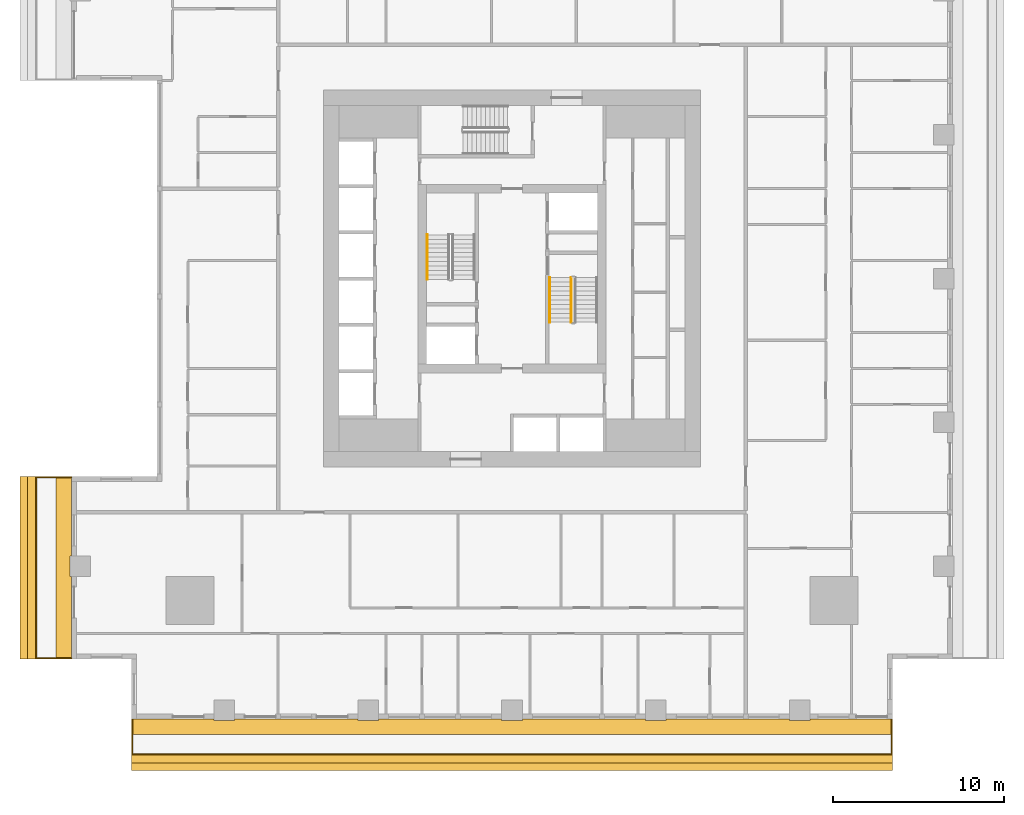
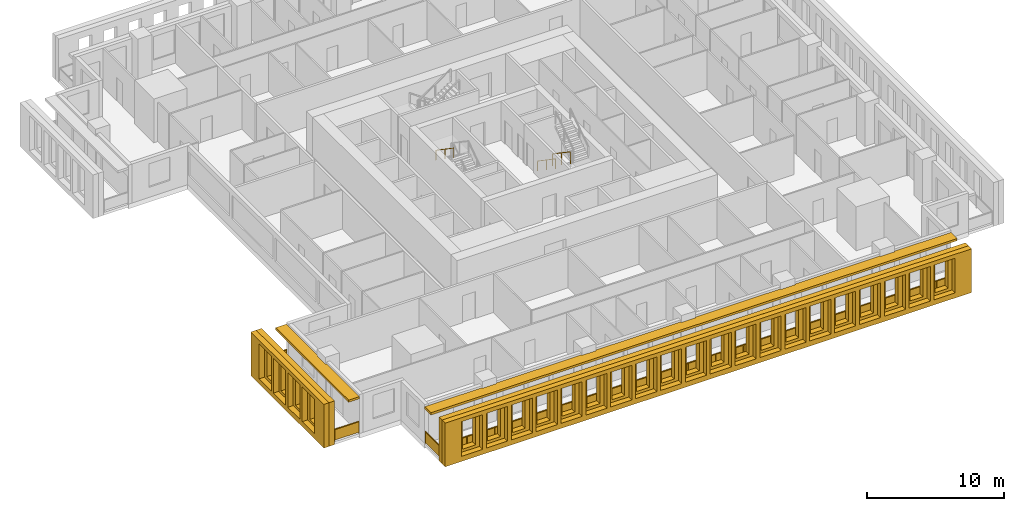
# One storey, part 10 of 14: 6 shading devices, 5 railings.
"""IFC4 building model written with IfcOpenShell, lengths in metres."""

import ifcopenshell
import ifcopenshell.guid

model = None  # the IFC model being written
_history = None  # IfcOwnerHistory: only IFC2X3 demands one
_inside = {}  # id of a spatial element -> (the spatial element, [elements in it])
_under = {}  # id of a project, library or spatial element -> (it, [spatial elements below it])
_declared = {}  # id of a project -> (the project, [libraries it declares])
_typed = {}  # id of a type object -> (the type object, [elements of that type])
_made_of = {}  # id of a material, layer set ... -> (it, [elements and type objects made of it])


def new_model(schema):
    """Start an empty IFC model of exactly this schema.

    Asked for "IFC4X3", IfcOpenShell would pick the latest addendum, in which some entities
    have other attributes; the version numbers below select the first issue.
    IFC2X3 requires an IfcOwnerHistory on every rooted entity: one is made here for all.
    """
    global model, _history
    if schema == "IFC4X3":
        model = ifcopenshell.file(schema_version=(4, 3, 0, 0))
    else:
        model = ifcopenshell.file(schema=schema)
    _inside.clear()
    _under.clear()
    _declared.clear()
    _typed.clear()
    _made_of.clear()
    _history = None
    if model.schema == "IFC2X3":
        org = make("IfcOrganization", Name="unknown")
        user = make(
            "IfcPersonAndOrganization",
            ThePerson=make("IfcPerson", FamilyName="unknown"),
            TheOrganization=org,
        )
        app = make(
            "IfcApplication",
            ApplicationDeveloper=org,
            Version="unknown",
            ApplicationFullName="unknown",
            ApplicationIdentifier="unknown",
        )
        _history = make(
            "IfcOwnerHistory",
            OwningUser=user,
            OwningApplication=app,
            ChangeAction="ADDED",
            CreationDate=0,
        )
    return model


def make(cls, **values):
    """One entity of the class cls with the attributes given. An attribute that is None is left unset."""
    return model.create_entity(
        cls, **{name: value for name, value in values.items() if value is not None}
    )


def rooted(cls, **values):
    """An entity with a GlobalId (a new one), such as an element, a storey or a relation."""
    return make(cls, GlobalId=ifcopenshell.guid.new(), OwnerHistory=_history, **values)


def si_unit(unit_type, name, prefix=None):
    """IfcSIUnit, for example si_unit("LENGTHUNIT", "METRE", prefix="MILLI")."""
    return make("IfcSIUnit", UnitType=unit_type, Prefix=prefix, Name=name)


def assignment(units):
    """IfcUnitAssignment: the units of a project."""
    return None if units is None else make("IfcUnitAssignment", Units=units)


def point(xyz):
    """IfcCartesianPoint."""
    return None if xyz is None else make("IfcCartesianPoint", Coordinates=xyz)


def direction(xyz):
    """IfcDirection."""
    return None if xyz is None else make("IfcDirection", DirectionRatios=xyz)


def frame(location, z_axis=None, x_axis=None):
    """IfcAxis2Placement3D, a coordinate frame: its origin and axes. An axis left out is left unset."""
    return make(
        "IfcAxis2Placement3D",
        Location=point(location),
        Axis=direction(z_axis),
        RefDirection=direction(x_axis),
    )


def frame_2d(location, x_axis=None):
    """IfcAxis2Placement2D, a coordinate frame in the plane: its origin and x axis."""
    return make(
        "IfcAxis2Placement2D", Location=point(location), RefDirection=direction(x_axis)
    )


def origin():
    """The frame at (0, 0, 0) with its axes left unset."""
    return frame((0.0, 0.0, 0.0))


def origin_2d():
    """The frame at (0, 0) in the plane with its x axis left unset."""
    return frame_2d((0.0, 0.0))


def place(relative_to, where):
    """IfcLocalPlacement: puts the frame where relative to a parent placement (None: the world)."""
    return make(
        "IfcLocalPlacement", PlacementRelTo=relative_to, RelativePlacement=where
    )


def context(
    kind, dimensions, precision=None, world=None, true_north=None, identifier=None
):
    """IfcGeometricRepresentationContext, for example the 3D "Model" context."""
    return make(
        "IfcGeometricRepresentationContext",
        ContextIdentifier=identifier,
        ContextType=kind,
        CoordinateSpaceDimension=dimensions,
        Precision=precision,
        WorldCoordinateSystem=world,
        TrueNorth=true_north,
    )


def subcontext(parent, identifier, kind, view, scale=None):
    """IfcGeometricRepresentationSubContext, for example "Body" below "Model"."""
    return make(
        "IfcGeometricRepresentationSubContext",
        ContextIdentifier=identifier,
        ContextType=kind,
        ParentContext=parent,
        TargetScale=scale,
        TargetView=view,
    )


def project(units=None, contexts=None):
    """IfcProject with its units and contexts."""
    return rooted(
        "IfcProject",
        Name="project",
        RepresentationContexts=contexts,
        UnitsInContext=assignment(units),
    )


def spatial(cls, under=None, at=None, **own):
    """A site, building, storey or space (cls), placed at a placement, below another one or the project."""
    s = rooted(cls, ObjectPlacement=at, **own)
    if under is not None:
        _under.setdefault(under.id(), (under, []))[1].append(s)
    return s


def polyline(points):
    """IfcPolyline through the points."""
    return make("IfcPolyline", Points=[point(p) for p in points])


def profile(cls, at=None, kind="AREA", **sizes):
    """A parametric profile (cls). Its sizes go by their IFC names, for example OverallWidth=200.0."""
    return make(cls, ProfileType=kind, Position=at, **sizes)


def rectangle(**sizes):
    """IfcRectangleProfileDef."""
    return profile("IfcRectangleProfileDef", **sizes)


def outline(outer, holes=None, kind="AREA"):
    """IfcArbitraryClosedProfileDef: a profile drawn as a closed curve; with holes, ...WithVoids."""
    if holes is None:
        return make("IfcArbitraryClosedProfileDef", ProfileType=kind, OuterCurve=outer)
    return make(
        "IfcArbitraryProfileDefWithVoids",
        ProfileType=kind,
        OuterCurve=outer,
        InnerCurves=holes,
    )


def extrude(swept, where, along, depth):
    """IfcExtrudedAreaSolid: the profile swept, set in the frame where, extruded along a direction by depth."""
    return make(
        "IfcExtrudedAreaSolid",
        SweptArea=swept,
        Position=where,
        ExtrudedDirection=direction(along),
        Depth=depth,
    )


def shape(context_of_items, identifier, shape_type, items):
    """IfcShapeRepresentation: the items that make up one representation, for example the "Body"."""
    return make(
        "IfcShapeRepresentation",
        ContextOfItems=context_of_items,
        RepresentationIdentifier=identifier,
        RepresentationType=shape_type,
        Items=items,
    )


def material(Name=None, Category=None):
    """IfcMaterial."""
    return make("IfcMaterial", Name=Name, Category=Category)


def layer(
    of_material, thickness, ventilated=None, Name=None, Category=None, Priority=None
):
    """IfcMaterialLayer: one layer of a wall or slab, of a material (None: an air gap)."""
    return make(
        "IfcMaterialLayer",
        Material=of_material,
        LayerThickness=thickness,
        IsVentilated=ventilated,
        Name=Name,
        Category=Category,
        Priority=Priority,
    )


def layer_set(layers, Name=None):
    """IfcMaterialLayerSet."""
    return make("IfcMaterialLayerSet", MaterialLayers=layers, LayerSetName=Name)


def made_of(thing, what):
    """Note that an element or type object is made of a material, layer set ...; save() writes the relation."""
    if what is not None:
        _made_of.setdefault(what.id(), (what, []))[1].append(thing)
    return thing


def type_object(cls, material=None, **own):
    """A type object (cls), such as IfcWallType, which elements share."""
    return made_of(rooted(cls, **own), material)


def element(
    cls,
    number,
    at=None,
    inside=None,
    cuts=None,
    type_object=None,
    material=None,
    context=None,
    identifier="Body",
    shape_type=None,
    held_by="IfcProductDefinitionShape",
    body=None,
    shapes=None,
    **own,
):
    """One element of the class cls, such as IfcWall. Its Tag is "e" and its number.

    at: its placement. inside: the storey or other place that contains it. cuts: it is an
    opening in that element (IfcRelVoidsElement). A single representation is given by context,
    identifier, shape_type and body (its items); several are given by shapes. held_by: the class
    of the entity that holds the representations. save() writes the other relations.
    """
    e = rooted(cls, Tag="e%d" % number, ObjectPlacement=at, **own)
    if body is not None:
        shapes = [shape(context, identifier, shape_type, body)]
    if shapes is not None:
        e.Representation = make(held_by, Representations=shapes)
    if inside is not None:
        _inside.setdefault(inside.id(), (inside, []))[1].append(e)
    if cuts is not None:
        rooted(
            "IfcRelVoidsElement", RelatingBuildingElement=cuts, RelatedOpeningElement=e
        )
    if type_object is not None:
        _typed.setdefault(type_object.id(), (type_object, []))[1].append(e)
    return made_of(e, material)


def aggregate(whole, parts):
    """IfcRelAggregates: a whole, such as a stair, and the parts it consists of."""
    return rooted("IfcRelAggregates", RelatingObject=whole, RelatedObjects=parts)


def save(model, path):
    """Write the relations noted so far, then the file.

    IfcRelAggregates (storeys below a building ...), IfcRelContainedInSpatialStructure (elements
    in a storey), IfcRelDefinesByType, IfcRelAssociatesMaterial and IfcRelDeclares: one each for
    every whole, place, type object, material and project.
    """
    for whole, parts in _under.values():
        aggregate(whole, parts)
    for where, things in _inside.values():
        rooted(
            "IfcRelContainedInSpatialStructure",
            RelatedElements=things,
            RelatingStructure=where,
        )
    for kind, things in _typed.values():
        rooted("IfcRelDefinesByType", RelatedObjects=things, RelatingType=kind)
    for what, things in _made_of.values():
        rooted("IfcRelAssociatesMaterial", RelatedObjects=things, RelatingMaterial=what)
    for by, libraries in _declared.values():
        rooted("IfcRelDeclares", RelatingContext=by, RelatedDefinitions=libraries)
    model.write(path)


model = new_model("IFC4")

# Units and contexts
model_context = context("Model", 3, precision=1e-05, world=origin(), true_north=direction((0.0, 1.0)))
body_context = subcontext(model_context, "Body", "Model", "MODEL_VIEW")
ifc_project = project(units=[si_unit("LENGTHUNIT", "METRE"), si_unit("AREAUNIT", "SQUARE_METRE"), si_unit("VOLUMEUNIT", "CUBIC_METRE"), si_unit("PLANEANGLEUNIT", "RADIAN"), si_unit("MASSUNIT", "GRAM", prefix="KILO")], contexts=[model_context])

# Site, building, storey
site_placement = place(None, origin())
site = spatial("IfcSite", under=ifc_project, at=site_placement, CompositionType="ELEMENT")
building_placement = place(site_placement, origin())
building = spatial("IfcBuilding", under=site, at=building_placement, Name="Khepri Terraces", CompositionType="ELEMENT")
storey_placement = place(building_placement, frame((0.0, 0.0, 114.300048828125)))
storey = spatial("IfcBuildingStorey", under=building, at=storey_placement, Name="L27", CompositionType="ELEMENT", Elevation=114.300048828125)

# Railings
ifc_material_1 = material(Name="Stainless steel grade 316", Category="steel")
railing_type_1 = type_object("IfcRailingType", Name="GRD-BAL-1100", PredefinedType="GUARDRAIL", material=ifc_material_1)
railing_1_placement = place(storey_placement, frame((-22.169921875, -25.719970703125, 0.0)))
element("IfcRailing", 1, at=railing_1_placement, inside=storey, type_object=railing_type_1, Name="Balcony guard L27 S", PredefinedType="GUARDRAIL", context=body_context, shape_type="SweptSolid", body=[
    extrude(rectangle(XDim=0.050048828125, YDim=0.06005859375, at=origin_2d()), frame((0.0, 0.0, 1.070068359375), z_axis=(0.0, -1.0, 0.0), x_axis=(1.0, 0.0, 0.0)), (0.0, 0.0, 1.0), 2.050048828125),
    extrude(rectangle(XDim=2.0, YDim=0.011962890625, at=origin_2d()), frame((0.0, -1.02490234375, 0.10009765625), z_axis=(0.0, 0.0, 1.0), x_axis=(0.0, -1.0, 0.0)), (0.0, 0.0, 1.0), 0.93994140625),
    extrude(rectangle(XDim=0.050048828125, YDim=0.06005859375, at=origin_2d()), frame((0.0, -2.050048828125, 1.070068359375), z_axis=(1.0, 0.0, 0.0), x_axis=(0.0, 1.0, 0.0)), (0.0, 0.0, 1.0), 44.33984375),
    extrude(rectangle(XDim=2.28369140625, YDim=0.011962890625, at=origin_2d()), frame((1.166748046875, -2.050048828125, 0.10009765625), z_axis=(0.0, 0.0, 1.0), x_axis=(1.0, 0.0, 0.0)), (0.0, 0.0, 1.0), 0.93994140625),
    extrude(rectangle(XDim=2.28369140625, YDim=0.011962890625, at=origin_2d()), frame((3.50048828125, -2.050048828125, 0.10009765625), z_axis=(0.0, 0.0, 1.0), x_axis=(1.0, 0.0, 0.0)), (0.0, 0.0, 1.0), 0.93994140625),
    extrude(rectangle(XDim=2.28369140625, YDim=0.011962890625, at=origin_2d()), frame((5.834228515625, -2.050048828125, 0.10009765625), z_axis=(0.0, 0.0, 1.0), x_axis=(1.0, 0.0, 0.0)), (0.0, 0.0, 1.0), 0.93994140625),
    extrude(rectangle(XDim=2.28369140625, YDim=0.011962890625, at=origin_2d()), frame((8.16796875, -2.050048828125, 0.10009765625), z_axis=(0.0, 0.0, 1.0), x_axis=(1.0, 0.0, 0.0)), (0.0, 0.0, 1.0), 0.93994140625),
    extrude(rectangle(XDim=2.28369140625, YDim=0.011962890625, at=origin_2d()), frame((10.50146484375, -2.050048828125, 0.10009765625), z_axis=(0.0, 0.0, 1.0), x_axis=(1.0, 0.0, 0.0)), (0.0, 0.0, 1.0), 0.93994140625),
    extrude(rectangle(XDim=2.28369140625, YDim=0.011962890625, at=origin_2d()), frame((12.835205078125, -2.050048828125, 0.10009765625), z_axis=(0.0, 0.0, 1.0), x_axis=(1.0, 0.0, 0.0)), (0.0, 0.0, 1.0), 0.93994140625),
    extrude(rectangle(XDim=2.28369140625, YDim=0.011962890625, at=origin_2d()), frame((15.1689453125, -2.050048828125, 0.10009765625), z_axis=(0.0, 0.0, 1.0), x_axis=(1.0, 0.0, 0.0)), (0.0, 0.0, 1.0), 0.93994140625),
    extrude(rectangle(XDim=2.28369140625, YDim=0.011962890625, at=origin_2d()), frame((17.502685546875, -2.050048828125, 0.10009765625), z_axis=(0.0, 0.0, 1.0), x_axis=(1.0, 0.0, 0.0)), (0.0, 0.0, 1.0), 0.93994140625),
    extrude(rectangle(XDim=2.28369140625, YDim=0.011962890625, at=origin_2d()), frame((19.836181640625, -2.050048828125, 0.10009765625), z_axis=(0.0, 0.0, 1.0), x_axis=(1.0, 0.0, 0.0)), (0.0, 0.0, 1.0), 0.93994140625),
    extrude(rectangle(XDim=2.28369140625, YDim=0.011962890625, at=origin_2d()), frame((22.169921875, -2.050048828125, 0.10009765625), z_axis=(0.0, 0.0, 1.0), x_axis=(1.0, 0.0, 0.0)), (0.0, 0.0, 1.0), 0.93994140625),
    extrude(rectangle(XDim=2.28369140625, YDim=0.011962890625, at=origin_2d()), frame((24.503662109375, -2.050048828125, 0.10009765625), z_axis=(0.0, 0.0, 1.0), x_axis=(1.0, 0.0, 0.0)), (0.0, 0.0, 1.0), 0.93994140625),
    extrude(rectangle(XDim=2.28369140625, YDim=0.011962890625, at=origin_2d()), frame((26.837158203125, -2.050048828125, 0.10009765625), z_axis=(0.0, 0.0, 1.0), x_axis=(1.0, 0.0, 0.0)), (0.0, 0.0, 1.0), 0.93994140625),
    extrude(rectangle(XDim=2.28369140625, YDim=0.011962890625, at=origin_2d()), frame((29.1708984375, -2.050048828125, 0.10009765625), z_axis=(0.0, 0.0, 1.0), x_axis=(1.0, 0.0, 0.0)), (0.0, 0.0, 1.0), 0.93994140625),
    extrude(rectangle(XDim=2.28369140625, YDim=0.011962890625, at=origin_2d()), frame((31.504638671875, -2.050048828125, 0.10009765625), z_axis=(0.0, 0.0, 1.0), x_axis=(1.0, 0.0, 0.0)), (0.0, 0.0, 1.0), 0.93994140625),
    extrude(rectangle(XDim=2.28369140625, YDim=0.011962890625, at=origin_2d()), frame((33.83837890625, -2.050048828125, 0.10009765625), z_axis=(0.0, 0.0, 1.0), x_axis=(1.0, 0.0, 0.0)), (0.0, 0.0, 1.0), 0.93994140625),
    extrude(rectangle(XDim=2.28369140625, YDim=0.011962890625, at=origin_2d()), frame((36.171875, -2.050048828125, 0.10009765625), z_axis=(0.0, 0.0, 1.0), x_axis=(1.0, 0.0, 0.0)), (0.0, 0.0, 1.0), 0.93994140625),
    extrude(rectangle(XDim=2.28369140625, YDim=0.011962890625, at=origin_2d()), frame((38.505615234375, -2.050048828125, 0.10009765625), z_axis=(0.0, 0.0, 1.0), x_axis=(1.0, 0.0, 0.0)), (0.0, 0.0, 1.0), 0.93994140625),
    extrude(rectangle(XDim=2.28369140625, YDim=0.011962890625, at=origin_2d()), frame((40.83935546875, -2.050048828125, 0.10009765625), z_axis=(0.0, 0.0, 1.0), x_axis=(1.0, 0.0, 0.0)), (0.0, 0.0, 1.0), 0.93994140625),
    extrude(rectangle(XDim=2.28369140625, YDim=0.011962890625, at=origin_2d()), frame((43.173095703125, -2.050048828125, 0.10009765625), z_axis=(0.0, 0.0, 1.0), x_axis=(1.0, 0.0, 0.0)), (0.0, 0.0, 1.0), 0.93994140625),
    extrude(rectangle(XDim=0.050048828125, YDim=0.06005859375, at=origin_2d()), frame((44.33984375, -2.050048828125, 1.070068359375), z_axis=(0.0, 1.0, 0.0), x_axis=(-1.0, 0.0, 0.0)), (0.0, 0.0, 1.0), 2.050048828125),
    extrude(rectangle(XDim=2.0, YDim=0.011962890625, at=origin_2d()), frame((44.33984375, -1.02490234375, 0.10009765625), z_axis=(0.0, 0.0, 1.0), x_axis=(0.0, 1.0, 0.0)), (0.0, 0.0, 1.0), 0.93994140625),
    extrude(rectangle(XDim=0.050048828125, YDim=0.050048828125, at=origin_2d()), origin(), (0.0, 0.0, 1.0), 1.0400390625),
    extrude(rectangle(XDim=0.050048828125, YDim=0.050048828125, at=origin_2d()), frame((0.0, -2.050048828125, 0.0)), (0.0, 0.0, 1.0), 1.0400390625),
    extrude(rectangle(XDim=0.050048828125, YDim=0.050048828125, at=origin_2d()), frame((2.333740234375, -2.050048828125, 0.0)), (0.0, 0.0, 1.0), 1.0400390625),
    extrude(rectangle(XDim=0.050048828125, YDim=0.050048828125, at=origin_2d()), frame((4.667236328125, -2.050048828125, 0.0)), (0.0, 0.0, 1.0), 1.0400390625),
    extrude(rectangle(XDim=0.050048828125, YDim=0.050048828125, at=origin_2d()), frame((7.0009765625, -2.050048828125, 0.0)), (0.0, 0.0, 1.0), 1.0400390625),
    extrude(rectangle(XDim=0.050048828125, YDim=0.050048828125, at=origin_2d()), frame((9.334716796875, -2.050048828125, 0.0)), (0.0, 0.0, 1.0), 1.0400390625),
    extrude(rectangle(XDim=0.050048828125, YDim=0.050048828125, at=origin_2d()), frame((11.66845703125, -2.050048828125, 0.0)), (0.0, 0.0, 1.0), 1.0400390625),
    extrude(rectangle(XDim=0.050048828125, YDim=0.050048828125, at=origin_2d()), frame((14.001953125, -2.050048828125, 0.0)), (0.0, 0.0, 1.0), 1.0400390625),
    extrude(rectangle(XDim=0.050048828125, YDim=0.050048828125, at=origin_2d()), frame((16.335693359375, -2.050048828125, 0.0)), (0.0, 0.0, 1.0), 1.0400390625),
    extrude(rectangle(XDim=0.050048828125, YDim=0.050048828125, at=origin_2d()), frame((18.66943359375, -2.050048828125, 0.0)), (0.0, 0.0, 1.0), 1.0400390625),
    extrude(rectangle(XDim=0.050048828125, YDim=0.050048828125, at=origin_2d()), frame((21.003173828125, -2.050048828125, 0.0)), (0.0, 0.0, 1.0), 1.0400390625),
    extrude(rectangle(XDim=0.050048828125, YDim=0.050048828125, at=origin_2d()), frame((23.336669921875, -2.050048828125, 0.0)), (0.0, 0.0, 1.0), 1.0400390625),
    extrude(rectangle(XDim=0.050048828125, YDim=0.050048828125, at=origin_2d()), frame((25.67041015625, -2.050048828125, 0.0)), (0.0, 0.0, 1.0), 1.0400390625),
    extrude(rectangle(XDim=0.050048828125, YDim=0.050048828125, at=origin_2d()), frame((28.004150390625, -2.050048828125, 0.0)), (0.0, 0.0, 1.0), 1.0400390625),
    extrude(rectangle(XDim=0.050048828125, YDim=0.050048828125, at=origin_2d()), frame((30.337890625, -2.050048828125, 0.0)), (0.0, 0.0, 1.0), 1.0400390625),
    extrude(rectangle(XDim=0.050048828125, YDim=0.050048828125, at=origin_2d()), frame((32.67138671875, -2.050048828125, 0.0)), (0.0, 0.0, 1.0), 1.0400390625),
    extrude(rectangle(XDim=0.050048828125, YDim=0.050048828125, at=origin_2d()), frame((35.005126953125, -2.050048828125, 0.0)), (0.0, 0.0, 1.0), 1.0400390625),
    extrude(rectangle(XDim=0.050048828125, YDim=0.050048828125, at=origin_2d()), frame((37.3388671875, -2.050048828125, 0.0)), (0.0, 0.0, 1.0), 1.0400390625),
    extrude(rectangle(XDim=0.050048828125, YDim=0.050048828125, at=origin_2d()), frame((39.672607421875, -2.050048828125, 0.0)), (0.0, 0.0, 1.0), 1.0400390625),
    extrude(rectangle(XDim=0.050048828125, YDim=0.050048828125, at=origin_2d()), frame((42.006103515625, -2.050048828125, 0.0)), (0.0, 0.0, 1.0), 1.0400390625),
    extrude(rectangle(XDim=0.050048828125, YDim=0.050048828125, at=origin_2d()), frame((44.33984375, -2.050048828125, 0.0)), (0.0, 0.0, 1.0), 1.0400390625),
    extrude(rectangle(XDim=0.050048828125, YDim=0.050048828125, at=origin_2d()), frame((44.33984375, 0.0, 0.0)), (0.0, 0.0, 1.0), 1.0400390625),
])
railing_2_placement = place(storey_placement, frame((-25.719970703125, -11.60009765625, 0.0)))
element("IfcRailing", 2, at=railing_2_placement, inside=storey, type_object=railing_type_1, Name="Balcony guard L27 W", PredefinedType="GUARDRAIL", context=body_context, shape_type="SweptSolid", body=[
    extrude(rectangle(XDim=0.050048828125, YDim=0.06005859375, at=origin_2d()), frame((0.0, 0.0, 1.070068359375), z_axis=(-1.0, 0.0, 0.0), x_axis=(0.0, -1.0, 0.0)), (0.0, 0.0, 1.0), 2.050048828125),
    extrude(rectangle(XDim=2.0, YDim=0.011962890625, at=origin_2d()), frame((-1.02490234375, 0.0, 0.10009765625), z_axis=(0.0, 0.0, 1.0), x_axis=(-1.0, 0.0, 0.0)), (0.0, 0.0, 1.0), 0.93994140625),
    extrude(rectangle(XDim=0.050048828125, YDim=0.06005859375, at=origin_2d()), frame((-2.050048828125, 0.0, 1.070068359375), z_axis=(0.0, -1.0, 0.0), x_axis=(1.0, 0.0, 0.0)), (0.0, 0.0, 1.0), 10.56982421875),
    extrude(rectangle(XDim=2.06396484375, YDim=0.011962890625, at=origin_2d()), frame((-2.050048828125, -1.056884765625, 0.10009765625), z_axis=(0.0, 0.0, 1.0), x_axis=(0.0, -1.0, 0.0)), (0.0, 0.0, 1.0), 0.93994140625),
    extrude(rectangle(XDim=2.06396484375, YDim=0.011962890625, at=origin_2d()), frame((-2.050048828125, -3.1708984375, 0.10009765625), z_axis=(0.0, 0.0, 1.0), x_axis=(0.0, -1.0, 0.0)), (0.0, 0.0, 1.0), 0.93994140625),
    extrude(rectangle(XDim=2.06396484375, YDim=0.011962890625, at=origin_2d()), frame((-2.050048828125, -5.284912109375, 0.10009765625), z_axis=(0.0, 0.0, 1.0), x_axis=(0.0, -1.0, 0.0)), (0.0, 0.0, 1.0), 0.93994140625),
    extrude(rectangle(XDim=2.06396484375, YDim=0.011962890625, at=origin_2d()), frame((-2.050048828125, -7.39892578125, 0.10009765625), z_axis=(0.0, 0.0, 1.0), x_axis=(0.0, -1.0, 0.0)), (0.0, 0.0, 1.0), 0.93994140625),
    extrude(rectangle(XDim=2.06396484375, YDim=0.011962890625, at=origin_2d()), frame((-2.050048828125, -9.512939453125, 0.10009765625), z_axis=(0.0, 0.0, 1.0), x_axis=(0.0, -1.0, 0.0)), (0.0, 0.0, 1.0), 0.93994140625),
    extrude(rectangle(XDim=0.050048828125, YDim=0.06005859375, at=origin_2d()), frame((-2.050048828125, -10.56982421875, 1.070068359375), z_axis=(1.0, 0.0, 0.0), x_axis=(0.0, 1.0, 0.0)), (0.0, 0.0, 1.0), 2.050048828125),
    extrude(rectangle(XDim=2.0, YDim=0.011962890625, at=origin_2d()), frame((-1.02490234375, -10.56982421875, 0.10009765625), z_axis=(0.0, 0.0, 1.0), x_axis=(1.0, 0.0, 0.0)), (0.0, 0.0, 1.0), 0.93994140625),
    extrude(rectangle(XDim=0.050048828125, YDim=0.050048828125, at=origin_2d()), origin(), (0.0, 0.0, 1.0), 1.0400390625),
    extrude(rectangle(XDim=0.050048828125, YDim=0.050048828125, at=origin_2d()), frame((-2.050048828125, 0.0, 0.0)), (0.0, 0.0, 1.0), 1.0400390625),
    extrude(rectangle(XDim=0.050048828125, YDim=0.050048828125, at=origin_2d()), frame((-2.050048828125, -2.114013671875, 0.0)), (0.0, 0.0, 1.0), 1.0400390625),
    extrude(rectangle(XDim=0.050048828125, YDim=0.050048828125, at=origin_2d()), frame((-2.050048828125, -4.22802734375, 0.0)), (0.0, 0.0, 1.0), 1.0400390625),
    extrude(rectangle(XDim=0.050048828125, YDim=0.050048828125, at=origin_2d()), frame((-2.050048828125, -6.341796875, 0.0)), (0.0, 0.0, 1.0), 1.0400390625),
    extrude(rectangle(XDim=0.050048828125, YDim=0.050048828125, at=origin_2d()), frame((-2.050048828125, -8.455810546875, 0.0)), (0.0, 0.0, 1.0), 1.0400390625),
    extrude(rectangle(XDim=0.050048828125, YDim=0.050048828125, at=origin_2d()), frame((-2.050048828125, -10.56982421875, 0.0)), (0.0, 0.0, 1.0), 1.0400390625),
    extrude(rectangle(XDim=0.050048828125, YDim=0.050048828125, at=origin_2d()), frame((0.0, -10.56982421875, 0.0)), (0.0, 0.0, 1.0), 1.0400390625),
])
ifc_material_2 = material(Name="Stainless steel 316", Category="steel")
railing_type_2 = type_object("IfcRailingType", Name="RL-CORE-GUARD", PredefinedType="GUARDRAIL", material=ifc_material_2)
railing_3_placement = place(storey_placement, frame((3.449951171875, 0.050048828125, 0.17724609375)))
element("IfcRailing", 3, at=railing_3_placement, inside=storey, type_object=railing_type_2, Name="L27 ST-2 stair guard 1", PredefinedType="GUARDRAIL", context=body_context, shape_type="SweptSolid", body=[
    extrude(rectangle(XDim=0.050048828125, YDim=0.06005859375, at=origin_2d()), frame((0.0, 0.0, 1.070068359375), z_axis=(0.0, -0.826240473404, 0.563317565952), x_axis=(1.0, 0.0, 0.0)), (0.0, 0.0, 1.0), 3.14697265625),
    extrude(rectangle(XDim=0.050048828125, YDim=0.050048828125, at=origin_2d()), origin(), (0.0, 0.0, 1.0), 1.0400390625),
    extrude(rectangle(XDim=0.050048828125, YDim=0.050048828125, at=origin_2d()), frame((0.0, -1.300048828125, 0.88623046875)), (0.0, 0.0, 1.0), 1.0400390625),
    extrude(rectangle(XDim=0.050048828125, YDim=0.050048828125, at=origin_2d()), frame((0.0, -2.60009765625, 1.772705078125)), (0.0, 0.0, 1.0), 1.0400390625),
])
railing_type_3 = type_object("IfcRailingType", Name="RL-CORE-HANDRAIL", PredefinedType="HANDRAIL", material=ifc_material_2)
for number, where, name in (
    (4, (-4.949951171875, 2.550048828125, 2.127197265625), "L27 ST-1 stair handrail 2"),
    (5, (2.199951171875, 0.050048828125, 0.17724609375), "L27 ST-2 stair handrail 1"),
):
    element("IfcRailing", number, at=place(storey_placement, frame(where)), inside=storey, type_object=railing_type_3, Name=name, PredefinedType="HANDRAIL", context=body_context, shape_type="SweptSolid", body=[
        extrude(rectangle(XDim=0.050048828125, YDim=0.050048828125, at=origin_2d()), frame((0.0, 0.0, 0.875), z_axis=(0.0, -0.826240473404, 0.563317565952), x_axis=(1.0, 0.0, 0.0)), (0.0, 0.0, 1.0), 3.14697265625),
        extrude(rectangle(XDim=0.050048828125, YDim=0.050048828125, at=origin_2d()), origin(), (0.0, 0.0, 1.0), 0.849853515625),
        extrude(rectangle(XDim=0.050048828125, YDim=0.050048828125, at=origin_2d()), frame((0.0, -1.300048828125, 0.88623046875)), (0.0, 0.0, 1.0), 0.849853515625),
        extrude(rectangle(XDim=0.050048828125, YDim=0.050048828125, at=origin_2d()), frame((0.0, -2.60009765625, 1.772705078125)), (0.0, 0.0, 1.0), 0.849853515625),
    ])

# Shading devices
ifc_material_3 = material(Name="Precast concrete C50/60 warm stone", Category="masonry")
shading_device_type_1 = type_object("IfcShadingDeviceType", Name="SCR-CELL-INNER-450", PredefinedType="USERDEFINED", material=ifc_material_3)
shading_device_1_placement = place(storey_placement, frame((-22.219970703125, -27.820068359375, -0.25), z_axis=(0.0, -1.0, 0.0), x_axis=(1.0, 0.0, 0.0)))
element("IfcShadingDevice", 6, at=shading_device_1_placement, inside=storey, type_object=shading_device_type_1, Name="Cell screen L27 S in", ObjectType="SCREEN", PredefinedType="USERDEFINED", context=body_context, shape_type="SweptSolid", body=[
    extrude(outline(polyline([(0.0, 0.0), (44.43994140625, 0.0), (44.43994140625, 3.89990234375), (0.0, 3.89990234375), (0.0, 0.0)]), holes=[polyline([(1.7265625, 0.699951171875), (2.8134765625, 0.699951171875), (2.8134765625, 3.300048828125), (1.7265625, 3.300048828125), (1.7265625, 0.699951171875)]), polyline([(3.82666015625, 0.699951171875), (4.913330078125, 0.699951171875), (4.913330078125, 3.300048828125), (3.82666015625, 3.300048828125), (3.82666015625, 0.699951171875)]), polyline([(5.926513671875, 0.699951171875), (7.013427734375, 0.699951171875), (7.013427734375, 3.300048828125), (5.926513671875, 3.300048828125), (5.926513671875, 0.699951171875)]), polyline([(8.026611328125, 0.699951171875), (9.11328125, 0.699951171875), (9.11328125, 3.300048828125), (8.026611328125, 3.300048828125), (8.026611328125, 0.699951171875)]), polyline([(10.126708984375, 0.699951171875), (11.21337890625, 0.699951171875), (11.21337890625, 3.300048828125), (10.126708984375, 3.300048828125), (10.126708984375, 0.699951171875)]), polyline([(12.2265625, 0.699951171875), (13.3134765625, 0.699951171875), (13.3134765625, 3.300048828125), (12.2265625, 3.300048828125), (12.2265625, 0.699951171875)]), polyline([(14.32666015625, 0.699951171875), (15.413330078125, 0.699951171875), (15.413330078125, 3.300048828125), (14.32666015625, 3.300048828125), (14.32666015625, 0.699951171875)]), polyline([(16.426513671875, 0.699951171875), (17.513427734375, 0.699951171875), (17.513427734375, 3.300048828125), (16.426513671875, 3.300048828125), (16.426513671875, 0.699951171875)]), polyline([(18.526611328125, 0.699951171875), (19.61328125, 0.699951171875), (19.61328125, 3.300048828125), (18.526611328125, 3.300048828125), (18.526611328125, 0.699951171875)]), polyline([(20.626708984375, 0.699951171875), (21.71337890625, 0.699951171875), (21.71337890625, 3.300048828125), (20.626708984375, 3.300048828125), (20.626708984375, 0.699951171875)]), polyline([(22.7265625, 0.699951171875), (23.8134765625, 0.699951171875), (23.8134765625, 3.300048828125), (22.7265625, 3.300048828125), (22.7265625, 0.699951171875)]), polyline([(24.82666015625, 0.699951171875), (25.913330078125, 0.699951171875), (25.913330078125, 3.300048828125), (24.82666015625, 3.300048828125), (24.82666015625, 0.699951171875)]), polyline([(26.926513671875, 0.699951171875), (28.013427734375, 0.699951171875), (28.013427734375, 3.300048828125), (26.926513671875, 3.300048828125), (26.926513671875, 0.699951171875)]), polyline([(29.026611328125, 0.699951171875), (30.11328125, 0.699951171875), (30.11328125, 3.300048828125), (29.026611328125, 3.300048828125), (29.026611328125, 0.699951171875)]), polyline([(31.126708984375, 0.699951171875), (32.21337890625, 0.699951171875), (32.21337890625, 3.300048828125), (31.126708984375, 3.300048828125), (31.126708984375, 0.699951171875)]), polyline([(33.2265625, 0.699951171875), (34.3134765625, 0.699951171875), (34.3134765625, 3.300048828125), (33.2265625, 3.300048828125), (33.2265625, 0.699951171875)]), polyline([(35.32666015625, 0.699951171875), (36.413330078125, 0.699951171875), (36.413330078125, 3.300048828125), (35.32666015625, 3.300048828125), (35.32666015625, 0.699951171875)]), polyline([(37.426513671875, 0.699951171875), (38.513427734375, 0.699951171875), (38.513427734375, 3.300048828125), (37.426513671875, 3.300048828125), (37.426513671875, 0.699951171875)]), polyline([(39.526611328125, 0.699951171875), (40.61328125, 0.699951171875), (40.61328125, 3.300048828125), (39.526611328125, 3.300048828125), (39.526611328125, 0.699951171875)]), polyline([(41.626708984375, 0.699951171875), (42.71337890625, 0.699951171875), (42.71337890625, 3.300048828125), (41.626708984375, 3.300048828125), (41.626708984375, 0.699951171875)])]), origin(), (0.0, 0.0, 1.0), 0.449951171875),
])
shading_device_2_placement = place(storey_placement, frame((-27.820068359375, -11.550048828125, -0.25), z_axis=(-1.0, 0.0, 0.0), x_axis=(0.0, -1.0, 0.0)))
element("IfcShadingDevice", 7, at=shading_device_2_placement, inside=storey, type_object=shading_device_type_1, Name="Cell screen L27 W in", ObjectType="SCREEN", PredefinedType="USERDEFINED", context=body_context, shape_type="SweptSolid", body=[
    extrude(outline(polyline([(0.0, 0.0), (10.669921875, 0.0), (10.669921875, 3.89990234375), (0.0, 3.89990234375), (0.0, 0.0)]), holes=[polyline([(1.556640625, 0.699951171875), (2.643310546875, 0.699951171875), (2.643310546875, 3.300048828125), (1.556640625, 3.300048828125), (1.556640625, 0.699951171875)]), polyline([(3.656494140625, 0.699951171875), (4.743408203125, 0.699951171875), (4.743408203125, 3.300048828125), (3.656494140625, 3.300048828125), (3.656494140625, 0.699951171875)]), polyline([(5.756591796875, 0.699951171875), (6.843505859375, 0.699951171875), (6.843505859375, 3.300048828125), (5.756591796875, 3.300048828125), (5.756591796875, 0.699951171875)]), polyline([(7.856689453125, 0.699951171875), (8.943359375, 0.699951171875), (8.943359375, 3.300048828125), (7.856689453125, 3.300048828125), (7.856689453125, 0.699951171875)])]), origin(), (0.0, 0.0, 1.0), 0.449951171875),
])
shading_device_type_2 = type_object("IfcShadingDeviceType", Name="SCR-CELL-OUTER-450", PredefinedType="USERDEFINED", material=ifc_material_3)
shading_device_3_placement = place(storey_placement, frame((-22.219970703125, -28.27001953125, -0.25), z_axis=(0.0, -1.0, 0.0), x_axis=(1.0, 0.0, 0.0)))
element("IfcShadingDevice", 8, at=shading_device_3_placement, inside=storey, type_object=shading_device_type_2, Name="Cell screen L27 S out", ObjectType="SCREEN", PredefinedType="USERDEFINED", context=body_context, shape_type="SweptSolid", body=[
    extrude(outline(polyline([(0.0, 0.0), (44.43994140625, 0.0), (44.43994140625, 3.89990234375), (0.0, 3.89990234375), (0.0, 0.0)]), holes=[polyline([(1.376708984375, 0.449951171875), (3.163330078125, 0.449951171875), (3.163330078125, 3.550048828125), (1.376708984375, 3.550048828125), (1.376708984375, 0.449951171875)]), polyline([(3.4765625, 0.449951171875), (5.263427734375, 0.449951171875), (5.263427734375, 3.550048828125), (3.4765625, 3.550048828125), (3.4765625, 0.449951171875)]), polyline([(5.57666015625, 0.449951171875), (7.36328125, 0.449951171875), (7.36328125, 3.550048828125), (5.57666015625, 3.550048828125), (5.57666015625, 0.449951171875)]), polyline([(7.676513671875, 0.449951171875), (9.46337890625, 0.449951171875), (9.46337890625, 3.550048828125), (7.676513671875, 3.550048828125), (7.676513671875, 0.449951171875)]), polyline([(9.776611328125, 0.449951171875), (11.5634765625, 0.449951171875), (11.5634765625, 3.550048828125), (9.776611328125, 3.550048828125), (9.776611328125, 0.449951171875)]), polyline([(11.876708984375, 0.449951171875), (13.663330078125, 0.449951171875), (13.663330078125, 3.550048828125), (11.876708984375, 3.550048828125), (11.876708984375, 0.449951171875)]), polyline([(13.9765625, 0.449951171875), (15.763427734375, 0.449951171875), (15.763427734375, 3.550048828125), (13.9765625, 3.550048828125), (13.9765625, 0.449951171875)]), polyline([(16.07666015625, 0.449951171875), (17.86328125, 0.449951171875), (17.86328125, 3.550048828125), (16.07666015625, 3.550048828125), (16.07666015625, 0.449951171875)]), polyline([(18.176513671875, 0.449951171875), (19.96337890625, 0.449951171875), (19.96337890625, 3.550048828125), (18.176513671875, 3.550048828125), (18.176513671875, 0.449951171875)]), polyline([(20.276611328125, 0.449951171875), (22.0634765625, 0.449951171875), (22.0634765625, 3.550048828125), (20.276611328125, 3.550048828125), (20.276611328125, 0.449951171875)]), polyline([(22.376708984375, 0.449951171875), (24.163330078125, 0.449951171875), (24.163330078125, 3.550048828125), (22.376708984375, 3.550048828125), (22.376708984375, 0.449951171875)]), polyline([(24.4765625, 0.449951171875), (26.263427734375, 0.449951171875), (26.263427734375, 3.550048828125), (24.4765625, 3.550048828125), (24.4765625, 0.449951171875)]), polyline([(26.57666015625, 0.449951171875), (28.36328125, 0.449951171875), (28.36328125, 3.550048828125), (26.57666015625, 3.550048828125), (26.57666015625, 0.449951171875)]), polyline([(28.676513671875, 0.449951171875), (30.46337890625, 0.449951171875), (30.46337890625, 3.550048828125), (28.676513671875, 3.550048828125), (28.676513671875, 0.449951171875)]), polyline([(30.776611328125, 0.449951171875), (32.5634765625, 0.449951171875), (32.5634765625, 3.550048828125), (30.776611328125, 3.550048828125), (30.776611328125, 0.449951171875)]), polyline([(32.876708984375, 0.449951171875), (34.663330078125, 0.449951171875), (34.663330078125, 3.550048828125), (32.876708984375, 3.550048828125), (32.876708984375, 0.449951171875)]), polyline([(34.9765625, 0.449951171875), (36.763427734375, 0.449951171875), (36.763427734375, 3.550048828125), (34.9765625, 3.550048828125), (34.9765625, 0.449951171875)]), polyline([(37.07666015625, 0.449951171875), (38.86328125, 0.449951171875), (38.86328125, 3.550048828125), (37.07666015625, 3.550048828125), (37.07666015625, 0.449951171875)]), polyline([(39.176513671875, 0.449951171875), (40.96337890625, 0.449951171875), (40.96337890625, 3.550048828125), (39.176513671875, 3.550048828125), (39.176513671875, 0.449951171875)]), polyline([(41.276611328125, 0.449951171875), (43.0634765625, 0.449951171875), (43.0634765625, 3.550048828125), (41.276611328125, 3.550048828125), (41.276611328125, 0.449951171875)])]), origin(), (0.0, 0.0, 1.0), 0.449951171875),
])
shading_device_4_placement = place(storey_placement, frame((-28.27001953125, -11.550048828125, -0.25), z_axis=(-1.0, 0.0, 0.0), x_axis=(0.0, -1.0, 0.0)))
element("IfcShadingDevice", 9, at=shading_device_4_placement, inside=storey, type_object=shading_device_type_2, Name="Cell screen L27 W out", ObjectType="SCREEN", PredefinedType="USERDEFINED", context=body_context, shape_type="SweptSolid", body=[
    extrude(outline(polyline([(0.0, 0.0), (10.669921875, 0.0), (10.669921875, 3.89990234375), (0.0, 3.89990234375), (0.0, 0.0)]), holes=[polyline([(1.20654296875, 0.449951171875), (2.993408203125, 0.449951171875), (2.993408203125, 3.550048828125), (1.20654296875, 3.550048828125), (1.20654296875, 0.449951171875)]), polyline([(3.306640625, 0.449951171875), (5.093505859375, 0.449951171875), (5.093505859375, 3.550048828125), (3.306640625, 3.550048828125), (3.306640625, 0.449951171875)]), polyline([(5.406494140625, 0.449951171875), (7.193359375, 0.449951171875), (7.193359375, 3.550048828125), (5.406494140625, 3.550048828125), (5.406494140625, 0.449951171875)]), polyline([(7.506591796875, 0.449951171875), (9.29345703125, 0.449951171875), (9.29345703125, 3.550048828125), (7.506591796875, 3.550048828125), (7.506591796875, 0.449951171875)])]), origin(), (0.0, 0.0, 1.0), 0.449951171875),
])
ifc_layer = layer(ifc_material_3, 0.199951171875, Name="Precast concrete C50/60 warm stone", Category="masonry")
ifc_layer_set = layer_set([ifc_layer], Name="Precast concrete C50/60 warm stone")
shading_device_type_3 = type_object("IfcShadingDeviceType", Name="SSH-BAND-STONE-200", PredefinedType="USERDEFINED", material=ifc_layer_set)
shading_device_5_placement = place(storey_placement, frame((0.0, 0.0, 3.099853515625)))
element("IfcShadingDevice", 10, at=shading_device_5_placement, inside=storey, type_object=shading_device_type_3, Name="Sunshade band L27 S", ObjectType="SUNSHADE", PredefinedType="USERDEFINED", context=body_context, shape_type="SweptSolid", body=[
    extrude(outline(polyline([(-17.39990234375, -25.719970703125), (-22.219970703125, -25.719970703125), (-22.219970703125, -26.6201171875), (22.219970703125, -26.6201171875), (22.219970703125, -25.719970703125), (17.39990234375, -25.719970703125), (17.39990234375, -25.800048828125), (16.199951171875, -25.800048828125), (16.199951171875, -25.719970703125), (9.0, -25.719970703125), (9.0, -25.800048828125), (7.800048828125, -25.800048828125), (7.800048828125, -25.719970703125), (0.60009765625, -25.719970703125), (0.60009765625, -25.800048828125), (-0.60009765625, -25.800048828125), (-0.60009765625, -25.719970703125), (-7.800048828125, -25.719970703125), (-7.800048828125, -25.800048828125), (-9.0, -25.800048828125), (-9.0, -25.719970703125), (-16.199951171875, -25.719970703125), (-16.199951171875, -25.800048828125), (-17.39990234375, -25.800048828125), (-17.39990234375, -25.719970703125)])), origin(), (0.0, 0.0, 1.0), 0.2001953125),
])
shading_device_6_placement = place(storey_placement, frame((0.0, 0.0, 3.099853515625)))
element("IfcShadingDevice", 11, at=shading_device_6_placement, inside=storey, type_object=shading_device_type_3, Name="Sunshade band L27 W", ObjectType="SUNSHADE", PredefinedType="USERDEFINED", context=body_context, shape_type="SweptSolid", body=[
    extrude(outline(polyline([(-25.719970703125, -16.199951171875), (-25.719970703125, -11.550048828125), (-26.6201171875, -11.550048828125), (-26.6201171875, -22.219970703125), (-25.719970703125, -22.219970703125), (-25.719970703125, -17.39990234375), (-25.800048828125, -17.39990234375), (-25.800048828125, -16.199951171875), (-25.719970703125, -16.199951171875)])), origin(), (0.0, 0.0, 1.0), 0.2001953125),
])

save(model, "model.ifc")
